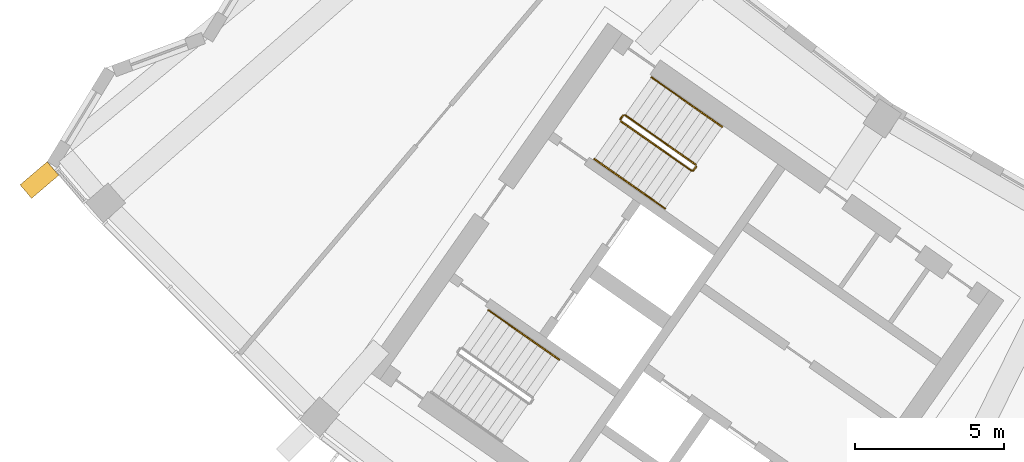
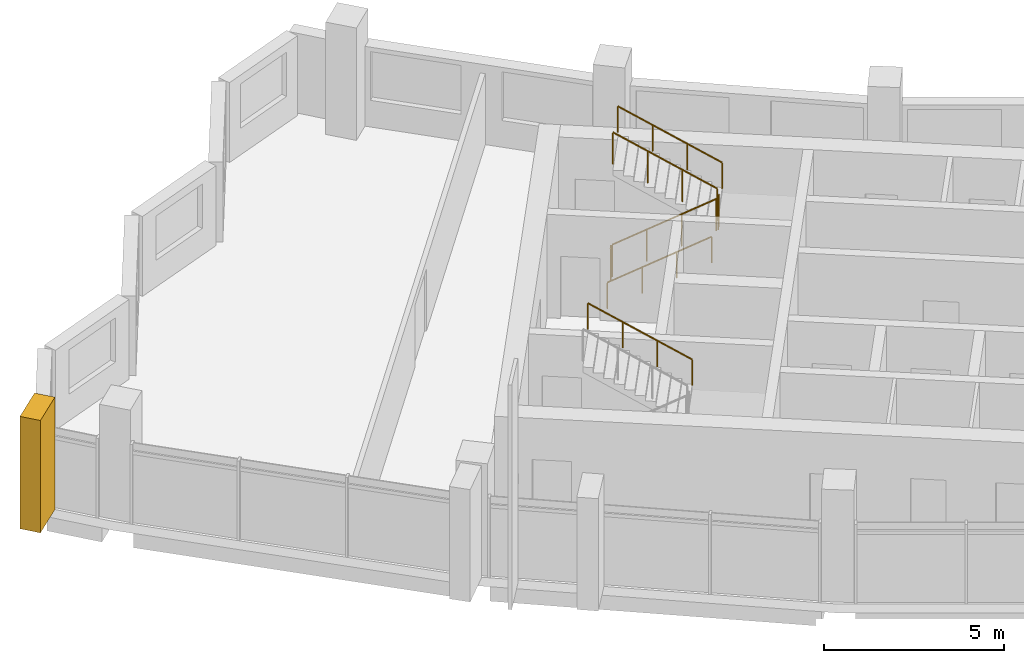
# One storey, part 24 of 28: 6 railings, 1 shading device.
"""IFC4 building model written with IfcOpenShell, lengths in metres."""

from ifc_helpers import new_model, si_unit, direction, frame, origin, origin_2d, place, context, subcontext, project, spatial, polyline, circle, outline, extrude, material, type_object, element, save


model = new_model("IFC4")

# Units and contexts
model_context = context("Model", 3, precision=1e-05, world=origin(), true_north=direction((0.0, 1.0)))
body_context = subcontext(model_context, "Body", "Model", "MODEL_VIEW")
ifc_project = project(units=[si_unit("LENGTHUNIT", "METRE"), si_unit("AREAUNIT", "SQUARE_METRE"), si_unit("VOLUMEUNIT", "CUBIC_METRE"), si_unit("PLANEANGLEUNIT", "RADIAN"), si_unit("MASSUNIT", "GRAM", prefix="KILO")], contexts=[model_context])

# Site, building, storey
site_placement = place(None, origin())
site = spatial("IfcSite", under=ifc_project, at=site_placement, CompositionType="ELEMENT")
building_placement = place(site_placement, origin())
building = spatial("IfcBuilding", under=site, at=building_placement, Name="Qamariyya Broadcast Tower", CompositionType="ELEMENT")
storey_placement = place(building_placement, frame((0.0, 0.0, 273.300048828125)))
storey = spatial("IfcBuildingStorey", under=building, at=storey_placement, Name="L66", CompositionType="ELEMENT", Elevation=273.300048828125)

# Shading device
ifc_material_1 = material(Name="Steel S355 powder coated deep red", Category="steel")
shading_device_type = type_object("IfcShadingDeviceType", Name="Deep red frame, powder coated steel box section", PredefinedType="USERDEFINED", material=ifc_material_1)
shading_device_placement = place(storey_placement, origin())
element("IfcShadingDevice", 1, at=shading_device_placement, inside=storey, type_object=shading_device_type, Name="e-frm-B5-F1-posta-L66", ObjectType="FRAME", PredefinedType="USERDEFINED", context=body_context, shape_type="SweptSolid", body=[
    extrude(outline(polyline([(-60.418212890625, -49.883544921875), (-61.33203125, -50.661376953125), (-60.943115234375, -51.1181640625), (-60.029296875, -50.340576171875), (-60.418212890625, -49.883544921875)])), origin(), (0.0, 0.0, 1.0), 3.800048828125),
])

# Railings
ifc_material_2 = material(Name="Painted steel", Category="steel")
railing_type_1 = type_object("IfcRailingType", Name="Stair guard", PredefinedType="GUARDRAIL", material=ifc_material_2)
railing_1_placement = place(storey_placement, frame((-41.146728515625, -48.52490234375, 0.172607421875)))
element("IfcRailing", 2, at=railing_1_placement, inside=storey, type_object=railing_type_1, Name="L66 ST-W2 stair guard 1", PredefinedType="GUARDRAIL", context=body_context, shape_type="SweptSolid", body=[
    extrude(circle(Radius=0.02392578125, at=origin_2d()), frame((0.0, 0.0, 1.076171875), z_axis=(0.703770094002, -0.492783725636, 0.511734163933), x_axis=(0.573575343427, 0.819152809562, 0.0)), (0.0, 0.0, 1.0), 3.37548828125),
    extrude(circle(Radius=0.02392578125, at=origin_2d()), frame((2.37548828125, -1.663330078125, 2.80322265625), z_axis=(0.985059694769, 0.172213233351, 0.0), x_axis=(-0.172213233351, 0.985059694769, 0.0)), (0.0, 0.0, 1.0), 0.07080078125),
    extrude(circle(Radius=0.02392578125, at=origin_2d()), frame((2.4453125, -1.651123046875, 2.80322265625), z_axis=(0.572588637393, 0.819842821722, 0.0), x_axis=(-0.819842821722, 0.572588637393, 0.0)), (0.0, 0.0, 1.0), 0.150146484375),
    extrude(circle(Radius=0.02099609375, at=origin_2d()), origin(), (0.0, 0.0, 1.0), 1.052001953125),
    extrude(circle(Radius=0.02099609375, at=origin_2d()), frame((0.791748046875, -0.554443359375, 0.57568359375)), (0.0, 0.0, 1.0), 1.052001953125),
    extrude(circle(Radius=0.02099609375, at=origin_2d()), frame((1.583740234375, -1.10888671875, 1.151611328125)), (0.0, 0.0, 1.0), 1.052001953125),
    extrude(circle(Radius=0.02099609375, at=origin_2d()), frame((2.37548828125, -1.663330078125, 1.727294921875)), (0.0, 0.0, 1.0), 1.052001953125),
    extrude(circle(Radius=0.02099609375, at=origin_2d()), frame((2.4453125, -1.651123046875, 1.727294921875)), (0.0, 0.0, 1.0), 1.052001953125),
    extrude(circle(Radius=0.02099609375, at=origin_2d()), frame((2.53125, -1.528076171875, 1.727294921875)), (0.0, 0.0, 1.0), 1.052001953125),
])
railing_2_placement = place(storey_placement, frame((-38.627685546875, -49.9833984375, 2.07275390625)))
element("IfcRailing", 3, at=railing_2_placement, inside=storey, type_object=railing_type_1, Name="L66 ST-W2 stair guard 2", PredefinedType="GUARDRAIL", context=body_context, shape_type="SweptSolid", body=[
    extrude(circle(Radius=0.02392578125, at=origin_2d()), frame((0.0, 0.0, 1.076171875), z_axis=(-0.703770094002, 0.492783725636, 0.511734163933), x_axis=(-0.573575343427, -0.819152809562, 0.0)), (0.0, 0.0, 1.0), 3.37548828125),
    extrude(circle(Radius=0.02099609375, at=origin_2d()), origin(), (0.0, 0.0, 1.0), 1.052001953125),
    extrude(circle(Radius=0.02099609375, at=origin_2d()), frame((-0.791748046875, 0.554443359375, 0.57568359375)), (0.0, 0.0, 1.0), 1.052001953125),
    extrude(circle(Radius=0.02099609375, at=origin_2d()), frame((-1.583740234375, 1.10888671875, 1.151611328125)), (0.0, 0.0, 1.0), 1.052001953125),
    extrude(circle(Radius=0.02099609375, at=origin_2d()), frame((-2.37548828125, 1.663330078125, 1.727294921875)), (0.0, 0.0, 1.0), 1.052001953125),
])
railing_3_placement = place(storey_placement, frame((-41.158935546875, -48.455322265625, 0.0)))
element("IfcRailing", 4, at=railing_3_placement, inside=storey, type_object=railing_type_1, Name="L66 ST-W2 stair guard 3", PredefinedType="GUARDRAIL", context=body_context, shape_type="SweptSolid", body=[
    extrude(circle(Radius=0.02392578125, at=origin_2d()), frame((0.0, 0.0, 1.076171875), z_axis=(0.572588637393, 0.819842821722, 0.0), x_axis=(-0.819842821722, 0.572588637393, 0.0)), (0.0, 0.0, 1.0), 0.150146484375),
    extrude(circle(Radius=0.02099609375, at=origin_2d()), origin(), (0.0, 0.0, 1.0), 1.052001953125),
    extrude(circle(Radius=0.02099609375, at=origin_2d()), frame((0.0859375, 0.123046875, 0.0)), (0.0, 0.0, 1.0), 1.052001953125),
])
ifc_material_3 = material(Name="Stainless steel", Category="steel")
railing_type_2 = type_object("IfcRailingType", Name="Stair handrail", PredefinedType="HANDRAIL", material=ifc_material_3)
railing_4_placement = place(storey_placement, frame((-42.03564453125, -49.79443359375, 0.172607421875)))
element("IfcRailing", 5, at=railing_4_placement, inside=storey, type_object=railing_type_2, Name="L66 ST-W2 stair handrail 1", PredefinedType="HANDRAIL", context=body_context, shape_type="SweptSolid", body=[
    extrude(circle(Radius=0.02392578125, at=origin_2d()), frame((0.0, 0.0, 0.8759765625), z_axis=(0.703745009021, -0.492838488332, 0.511715923826), x_axis=(0.573631830683, 0.819113253969, 0.0)), (0.0, 0.0, 1.0), 3.37548828125),
    extrude(circle(Radius=0.02099609375, at=origin_2d()), origin(), (0.0, 0.0, 1.0), 0.851806640625),
    extrude(circle(Radius=0.02099609375, at=origin_2d()), frame((0.791748046875, -0.554443359375, 0.57568359375)), (0.0, 0.0, 1.0), 0.851806640625),
    extrude(circle(Radius=0.02099609375, at=origin_2d()), frame((1.583740234375, -1.109130859375, 1.151611328125)), (0.0, 0.0, 1.0), 0.851806640625),
    extrude(circle(Radius=0.02099609375, at=origin_2d()), frame((2.37548828125, -1.66357421875, 1.727294921875)), (0.0, 0.0, 1.0), 0.851806640625),
])
railing_5_placement = place(storey_placement, frame((-37.73876953125, -48.7138671875, 2.07275390625)))
element("IfcRailing", 6, at=railing_5_placement, inside=storey, type_object=railing_type_2, Name="L66 ST-W2 stair handrail 2", PredefinedType="HANDRAIL", context=body_context, shape_type="SweptSolid", body=[
    extrude(circle(Radius=0.02392578125, at=origin_2d()), frame((0.0, 0.0, 0.8759765625), z_axis=(-0.703745009021, 0.492838488332, 0.511715923826), x_axis=(-0.573631830683, -0.819113253969, 0.0)), (0.0, 0.0, 1.0), 3.37548828125),
    extrude(circle(Radius=0.02099609375, at=origin_2d()), origin(), (0.0, 0.0, 1.0), 0.851806640625),
    extrude(circle(Radius=0.02099609375, at=origin_2d()), frame((-0.791748046875, 0.554443359375, 0.57568359375)), (0.0, 0.0, 1.0), 0.851806640625),
    extrude(circle(Radius=0.02099609375, at=origin_2d()), frame((-1.583740234375, 1.109130859375, 1.151611328125)), (0.0, 0.0, 1.0), 0.851806640625),
    extrude(circle(Radius=0.02099609375, at=origin_2d()), frame((-2.37548828125, 1.66357421875, 1.727294921875)), (0.0, 0.0, 1.0), 0.851806640625),
])
railing_6_placement = place(storey_placement, frame((-43.21630859375, -56.53662109375, 2.07275390625)))
element("IfcRailing", 7, at=railing_6_placement, inside=storey, type_object=railing_type_2, Name="L66 ST-W1 stair handrail 2", PredefinedType="HANDRAIL", context=body_context, shape_type="SweptSolid", body=[
    extrude(circle(Radius=0.02392578125, at=origin_2d()), frame((0.0, 0.0, 0.8759765625), z_axis=(-0.703770094002, 0.492783725636, 0.511734163933), x_axis=(-0.573575343427, -0.819152809562, 0.0)), (0.0, 0.0, 1.0), 3.37548828125),
    extrude(circle(Radius=0.02099609375, at=origin_2d()), origin(), (0.0, 0.0, 1.0), 0.851806640625),
    extrude(circle(Radius=0.02099609375, at=origin_2d()), frame((-0.791748046875, 0.554443359375, 0.57568359375)), (0.0, 0.0, 1.0), 0.851806640625),
    extrude(circle(Radius=0.02099609375, at=origin_2d()), frame((-1.583740234375, 1.10888671875, 1.151611328125)), (0.0, 0.0, 1.0), 0.851806640625),
    extrude(circle(Radius=0.02099609375, at=origin_2d()), frame((-2.37548828125, 1.663330078125, 1.727294921875)), (0.0, 0.0, 1.0), 0.851806640625),
])

save(model, "model.ifc")
